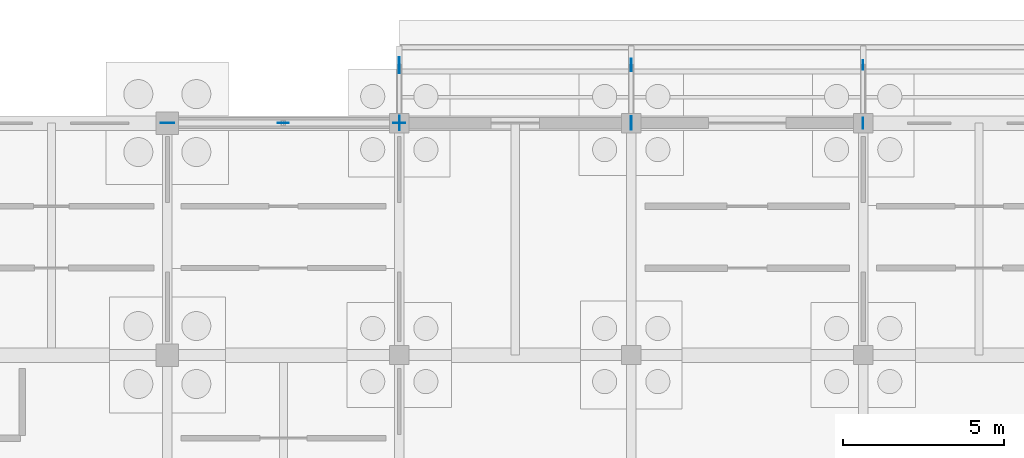
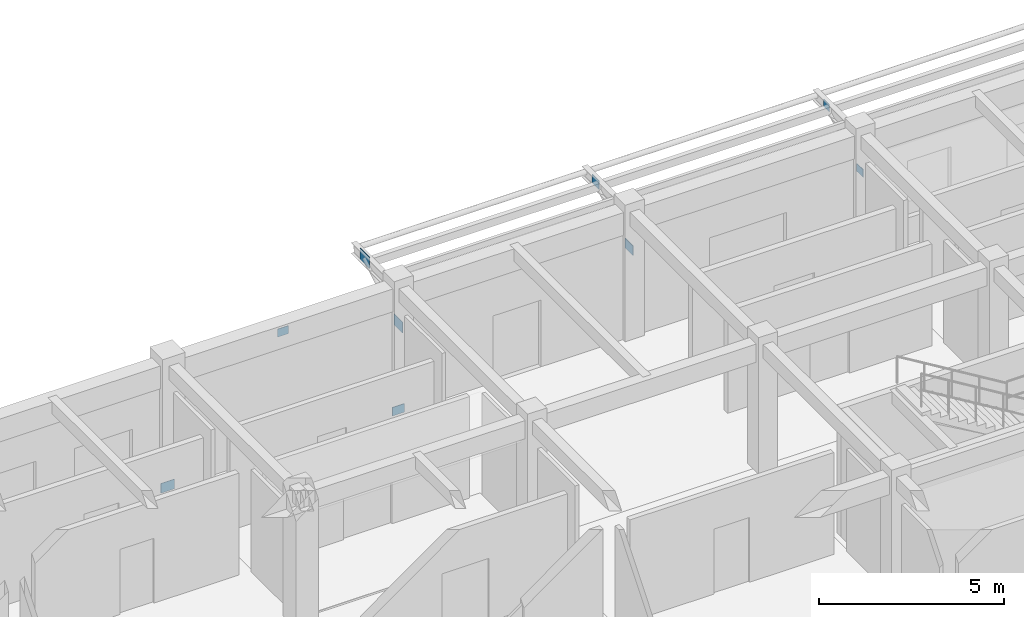
# One storey, part 58 of 111: 9 plates.
"""IFC4 building model written with IfcOpenShell, lengths in metres."""

import ifcopenshell
import ifcopenshell.guid

model = None  # the IFC model being written
_history = None  # IfcOwnerHistory: only IFC2X3 demands one
_inside = {}  # id of a spatial element -> (the spatial element, [elements in it])
_under = {}  # id of a project, library or spatial element -> (it, [spatial elements below it])
_declared = {}  # id of a project -> (the project, [libraries it declares])
_typed = {}  # id of a type object -> (the type object, [elements of that type])
_made_of = {}  # id of a material, layer set ... -> (it, [elements and type objects made of it])


def new_model(schema):
    """Start an empty IFC model of exactly this schema.

    Asked for "IFC4X3", IfcOpenShell would pick the latest addendum, in which some entities
    have other attributes; the version numbers below select the first issue.
    IFC2X3 requires an IfcOwnerHistory on every rooted entity: one is made here for all.
    """
    global model, _history
    if schema == "IFC4X3":
        model = ifcopenshell.file(schema_version=(4, 3, 0, 0))
    else:
        model = ifcopenshell.file(schema=schema)
    _inside.clear()
    _under.clear()
    _declared.clear()
    _typed.clear()
    _made_of.clear()
    _history = None
    if model.schema == "IFC2X3":
        org = make("IfcOrganization", Name="unknown")
        user = make(
            "IfcPersonAndOrganization",
            ThePerson=make("IfcPerson", FamilyName="unknown"),
            TheOrganization=org,
        )
        app = make(
            "IfcApplication",
            ApplicationDeveloper=org,
            Version="unknown",
            ApplicationFullName="unknown",
            ApplicationIdentifier="unknown",
        )
        _history = make(
            "IfcOwnerHistory",
            OwningUser=user,
            OwningApplication=app,
            ChangeAction="ADDED",
            CreationDate=0,
        )
    return model


def make(cls, **values):
    """One entity of the class cls with the attributes given. An attribute that is None is left unset."""
    return model.create_entity(
        cls, **{name: value for name, value in values.items() if value is not None}
    )


def rooted(cls, **values):
    """An entity with a GlobalId (a new one), such as an element, a storey or a relation."""
    return make(cls, GlobalId=ifcopenshell.guid.new(), OwnerHistory=_history, **values)


def si_unit(unit_type, name, prefix=None):
    """IfcSIUnit, for example si_unit("LENGTHUNIT", "METRE", prefix="MILLI")."""
    return make("IfcSIUnit", UnitType=unit_type, Prefix=prefix, Name=name)


def assignment(units):
    """IfcUnitAssignment: the units of a project."""
    return None if units is None else make("IfcUnitAssignment", Units=units)


def point(xyz):
    """IfcCartesianPoint."""
    return None if xyz is None else make("IfcCartesianPoint", Coordinates=xyz)


def direction(xyz):
    """IfcDirection."""
    return None if xyz is None else make("IfcDirection", DirectionRatios=xyz)


def frame(location, z_axis=None, x_axis=None):
    """IfcAxis2Placement3D, a coordinate frame: its origin and axes. An axis left out is left unset."""
    return make(
        "IfcAxis2Placement3D",
        Location=point(location),
        Axis=direction(z_axis),
        RefDirection=direction(x_axis),
    )


def frame_2d(location, x_axis=None):
    """IfcAxis2Placement2D, a coordinate frame in the plane: its origin and x axis."""
    return make(
        "IfcAxis2Placement2D", Location=point(location), RefDirection=direction(x_axis)
    )


def origin():
    """The frame at (0, 0, 0) with its axes left unset."""
    return frame((0.0, 0.0, 0.0))


def origin_2d():
    """The frame at (0, 0) in the plane with its x axis left unset."""
    return frame_2d((0.0, 0.0))


def place(relative_to, where):
    """IfcLocalPlacement: puts the frame where relative to a parent placement (None: the world)."""
    return make(
        "IfcLocalPlacement", PlacementRelTo=relative_to, RelativePlacement=where
    )


def context(
    kind, dimensions, precision=None, world=None, true_north=None, identifier=None
):
    """IfcGeometricRepresentationContext, for example the 3D "Model" context."""
    return make(
        "IfcGeometricRepresentationContext",
        ContextIdentifier=identifier,
        ContextType=kind,
        CoordinateSpaceDimension=dimensions,
        Precision=precision,
        WorldCoordinateSystem=world,
        TrueNorth=true_north,
    )


def subcontext(parent, identifier, kind, view, scale=None):
    """IfcGeometricRepresentationSubContext, for example "Body" below "Model"."""
    return make(
        "IfcGeometricRepresentationSubContext",
        ContextIdentifier=identifier,
        ContextType=kind,
        ParentContext=parent,
        TargetScale=scale,
        TargetView=view,
    )


def project(units=None, contexts=None):
    """IfcProject with its units and contexts."""
    return rooted(
        "IfcProject",
        Name="project",
        RepresentationContexts=contexts,
        UnitsInContext=assignment(units),
    )


def spatial(cls, under=None, at=None, **own):
    """A site, building, storey or space (cls), placed at a placement, below another one or the project."""
    s = rooted(cls, ObjectPlacement=at, **own)
    if under is not None:
        _under.setdefault(under.id(), (under, []))[1].append(s)
    return s


def profile(cls, at=None, kind="AREA", **sizes):
    """A parametric profile (cls). Its sizes go by their IFC names, for example OverallWidth=200.0."""
    return make(cls, ProfileType=kind, Position=at, **sizes)


def rectangle(**sizes):
    """IfcRectangleProfileDef."""
    return profile("IfcRectangleProfileDef", **sizes)


def extrude(swept, where, along, depth):
    """IfcExtrudedAreaSolid: the profile swept, set in the frame where, extruded along a direction by depth."""
    return make(
        "IfcExtrudedAreaSolid",
        SweptArea=swept,
        Position=where,
        ExtrudedDirection=direction(along),
        Depth=depth,
    )


def shape(context_of_items, identifier, shape_type, items):
    """IfcShapeRepresentation: the items that make up one representation, for example the "Body"."""
    return make(
        "IfcShapeRepresentation",
        ContextOfItems=context_of_items,
        RepresentationIdentifier=identifier,
        RepresentationType=shape_type,
        Items=items,
    )


def material(Name=None, Category=None):
    """IfcMaterial."""
    return make("IfcMaterial", Name=Name, Category=Category)


def layer(
    of_material, thickness, ventilated=None, Name=None, Category=None, Priority=None
):
    """IfcMaterialLayer: one layer of a wall or slab, of a material (None: an air gap)."""
    return make(
        "IfcMaterialLayer",
        Material=of_material,
        LayerThickness=thickness,
        IsVentilated=ventilated,
        Name=Name,
        Category=Category,
        Priority=Priority,
    )


def layer_set(layers, Name=None):
    """IfcMaterialLayerSet."""
    return make("IfcMaterialLayerSet", MaterialLayers=layers, LayerSetName=Name)


def made_of(thing, what):
    """Note that an element or type object is made of a material, layer set ...; save() writes the relation."""
    if what is not None:
        _made_of.setdefault(what.id(), (what, []))[1].append(thing)
    return thing


def type_object(cls, material=None, **own):
    """A type object (cls), such as IfcWallType, which elements share."""
    return made_of(rooted(cls, **own), material)


def element(
    cls,
    number,
    at=None,
    inside=None,
    cuts=None,
    type_object=None,
    material=None,
    context=None,
    identifier="Body",
    shape_type=None,
    held_by="IfcProductDefinitionShape",
    body=None,
    shapes=None,
    **own,
):
    """One element of the class cls, such as IfcWall. Its Tag is "e" and its number.

    at: its placement. inside: the storey or other place that contains it. cuts: it is an
    opening in that element (IfcRelVoidsElement). A single representation is given by context,
    identifier, shape_type and body (its items); several are given by shapes. held_by: the class
    of the entity that holds the representations. save() writes the other relations.
    """
    e = rooted(cls, Tag="e%d" % number, ObjectPlacement=at, **own)
    if body is not None:
        shapes = [shape(context, identifier, shape_type, body)]
    if shapes is not None:
        e.Representation = make(held_by, Representations=shapes)
    if inside is not None:
        _inside.setdefault(inside.id(), (inside, []))[1].append(e)
    if cuts is not None:
        rooted(
            "IfcRelVoidsElement", RelatingBuildingElement=cuts, RelatedOpeningElement=e
        )
    if type_object is not None:
        _typed.setdefault(type_object.id(), (type_object, []))[1].append(e)
    return made_of(e, material)


def aggregate(whole, parts):
    """IfcRelAggregates: a whole, such as a stair, and the parts it consists of."""
    return rooted("IfcRelAggregates", RelatingObject=whole, RelatedObjects=parts)


def save(model, path):
    """Write the relations noted so far, then the file.

    IfcRelAggregates (storeys below a building ...), IfcRelContainedInSpatialStructure (elements
    in a storey), IfcRelDefinesByType, IfcRelAssociatesMaterial and IfcRelDeclares: one each for
    every whole, place, type object, material and project.
    """
    for whole, parts in _under.values():
        aggregate(whole, parts)
    for where, things in _inside.values():
        rooted(
            "IfcRelContainedInSpatialStructure",
            RelatedElements=things,
            RelatingStructure=where,
        )
    for kind, things in _typed.values():
        rooted("IfcRelDefinesByType", RelatedObjects=things, RelatingType=kind)
    for what, things in _made_of.values():
        rooted("IfcRelAssociatesMaterial", RelatedObjects=things, RelatingMaterial=what)
    for by, libraries in _declared.values():
        rooted("IfcRelDeclares", RelatingContext=by, RelatedDefinitions=libraries)
    model.write(path)


model = new_model("IFC4")

# Units and contexts
model_context = context("Model", 3, precision=1e-05, world=origin(), true_north=direction((0.0, 1.0)))
body_context = subcontext(model_context, "Body", "Model", "MODEL_VIEW")
ifc_project = project(units=[si_unit("LENGTHUNIT", "METRE"), si_unit("AREAUNIT", "SQUARE_METRE"), si_unit("VOLUMEUNIT", "CUBIC_METRE"), si_unit("PLANEANGLEUNIT", "RADIAN"), si_unit("MASSUNIT", "GRAM", prefix="KILO")], contexts=[model_context])

# Site, building, storey
site_placement = place(None, origin())
site = spatial("IfcSite", under=ifc_project, at=site_placement, CompositionType="ELEMENT")
building_placement = place(site_placement, origin())
building = spatial("IfcBuilding", under=site, at=building_placement, Name="Aldebral Square Health Centre", CompositionType="ELEMENT")
storey_placement = place(building_placement, origin())
storey = spatial("IfcBuildingStorey", under=building, at=storey_placement, Name="L00", CompositionType="ELEMENT", Elevation=0.0)

# Plates
ifc_material = material(Name="Steel S355JR", Category="steel")
ifc_layer_1 = layer(ifc_material, 0.01611328125, Name="Steel S355JR", Category="steel")
ifc_layer_set_1 = layer_set([ifc_layer_1], Name="Steel S355JR")
plate_type_1 = type_object("IfcPlateType", Name="PL-GUS-1", PredefinedType="USERDEFINED", material=ifc_layer_set_1)
for number, where, z_axis, x_axis, name in (
    (1, (43.199951171875, 115.199951171875, 2.68994140625), (0.0, 0.0, 1.0), (0.0, 1.0, 0.0), "North canopy knee strut 7 column gusset plate"),
    (2, (28.800048828125, 115.199951171875, -0.16015625), (0.0, 0.0, 1.0), (1.0, 0.0, 0.0), "L00 north chevron brace 5 west base gusset plate"),
):
    element("IfcPlate", number, at=place(storey_placement, frame(where, z_axis=z_axis, x_axis=x_axis)), inside=storey, type_object=plate_type_1, Name=name, ObjectType="GUSSET_PLATE", PredefinedType="USERDEFINED", context=body_context, shape_type="SweptSolid", body=[
        extrude(rectangle(XDim=0.419921875, YDim=0.01611328125, at=origin_2d()), origin(), (0.0, 0.0, 1.0), 0.320068359375),
    ])
ifc_layer_2 = layer(ifc_material, 0.01611328125, Name="Steel S355JR", Category="steel")
ifc_layer_set_2 = layer_set([ifc_layer_2], Name="Steel S355JR")
plate_type_2 = type_object("IfcPlateType", Name="PL-GUS-2", PredefinedType="USERDEFINED", material=ifc_layer_set_2)
for number, where, z_axis, x_axis, name in (
    (3, (43.199951171875, 117.0, 3.759765625), (0.0, 0.0, 1.0), (0.0, 1.0, 0.0), "North canopy knee strut 7 rib gusset plate"),
    (4, (36.0, 115.199951171875, -0.14013671875), (0.0, 0.0, 1.0), (1.0, 0.0, 0.0), "L00 north chevron brace 5 east base gusset plate"),
):
    element("IfcPlate", number, at=place(storey_placement, frame(where, z_axis=z_axis, x_axis=x_axis)), inside=storey, type_object=plate_type_2, Name=name, ObjectType="GUSSET_PLATE", PredefinedType="USERDEFINED", context=body_context, shape_type="SweptSolid", body=[
        extrude(rectangle(XDim=0.3798828125, YDim=0.01611328125, at=origin_2d()), origin(), (0.0, 0.0, 1.0), 0.280029296875),
    ])
ifc_layer_3 = layer(ifc_material, 0.013916015625, Name="Steel S355JR", Category="steel")
ifc_layer_set_3 = layer_set([ifc_layer_3], Name="Steel S355JR")
plate_type_3 = type_object("IfcPlateType", Name="PL-GUS-3", PredefinedType="USERDEFINED", material=ifc_layer_set_3)
for number, where, z_axis, x_axis, name in (
    (5, (50.39990234375, 115.199951171875, 2.72021484375), (0.0, 0.0, 1.0), (0.0, 1.0, 0.0), "North canopy knee strut 8 column gusset plate"),
    (6, (32.39990234375, 115.199951171875, 3.71484375), (0.0, 0.0, 1.0), (1.0, 0.0, 0.0), "L00 north chevron brace 5 apex gusset plate"),
):
    element("IfcPlate", number, at=place(storey_placement, frame(where, z_axis=z_axis, x_axis=x_axis)), inside=storey, type_object=plate_type_3, Name=name, ObjectType="GUSSET_PLATE", PredefinedType="USERDEFINED", context=body_context, shape_type="SweptSolid", body=[
        extrude(rectangle(XDim=0.340087890625, YDim=0.013916015625, at=origin_2d()), origin(), (0.0, 0.0, 1.0), 0.260009765625),
    ])
ifc_layer_4 = layer(ifc_material, 0.013916015625, Name="Steel S355JR", Category="steel")
ifc_layer_set_4 = layer_set([ifc_layer_4], Name="Steel S355JR")
plate_type_4 = type_object("IfcPlateType", Name="PL-GUS-4", PredefinedType="USERDEFINED", material=ifc_layer_set_4)
plate_1_placement = place(storey_placement, frame((50.39990234375, 117.0, 3.77978515625), z_axis=(0.0, 0.0, 1.0), x_axis=(0.0, 1.0, 0.0)))
element("IfcPlate", 7, at=plate_1_placement, inside=storey, type_object=plate_type_4, Name="North canopy knee strut 8 rib gusset plate", ObjectType="GUSSET_PLATE", PredefinedType="USERDEFINED", context=body_context, shape_type="SweptSolid", body=[
    extrude(rectangle(XDim=0.300048828125, YDim=0.013916015625, at=origin_2d()), origin(), (0.0, 0.0, 1.0), 0.239990234375),
])
ifc_layer_5 = layer(ifc_material, 0.01806640625, Name="Steel S355JR", Category="steel")
ifc_layer_set_5 = layer_set([ifc_layer_5], Name="Steel S355JR")
plate_type_5 = type_object("IfcPlateType", Name="PL-GUS-5", PredefinedType="USERDEFINED", material=ifc_layer_set_5)
plate_2_placement = place(storey_placement, frame((36.0, 115.199951171875, 2.669921875), z_axis=(0.0, 0.0, 1.0), x_axis=(0.0, 1.0, 0.0)))
element("IfcPlate", 8, at=plate_2_placement, inside=storey, type_object=plate_type_5, Name="North canopy knee strut 6 column gusset plate", ObjectType="GUSSET_PLATE", PredefinedType="USERDEFINED", context=body_context, shape_type="SweptSolid", body=[
    extrude(rectangle(XDim=0.4599609375, YDim=0.01806640625, at=origin_2d()), origin(), (0.0, 0.0, 1.0), 0.360107421875),
])
ifc_layer_6 = layer(ifc_material, 0.02001953125, Name="Steel S355JR", Category="steel")
ifc_layer_set_6 = layer_set([ifc_layer_6], Name="Steel S355JR")
plate_type_6 = type_object("IfcPlateType", Name="PL-GUS-6", PredefinedType="USERDEFINED", material=ifc_layer_set_6)
plate_3_placement = place(storey_placement, frame((36.0, 117.0, 3.7099609375), z_axis=(0.0, 0.0, 1.0), x_axis=(0.0, 1.0, 0.0)))
element("IfcPlate", 9, at=plate_3_placement, inside=storey, type_object=plate_type_6, Name="North canopy knee strut 6 rib gusset plate", ObjectType="GUSSET_PLATE", PredefinedType="USERDEFINED", context=body_context, shape_type="SweptSolid", body=[
    extrude(rectangle(XDim=0.5, YDim=0.02001953125, at=origin_2d()), origin(), (0.0, 0.0, 1.0), 0.3798828125),
])

save(model, "model.ifc")
